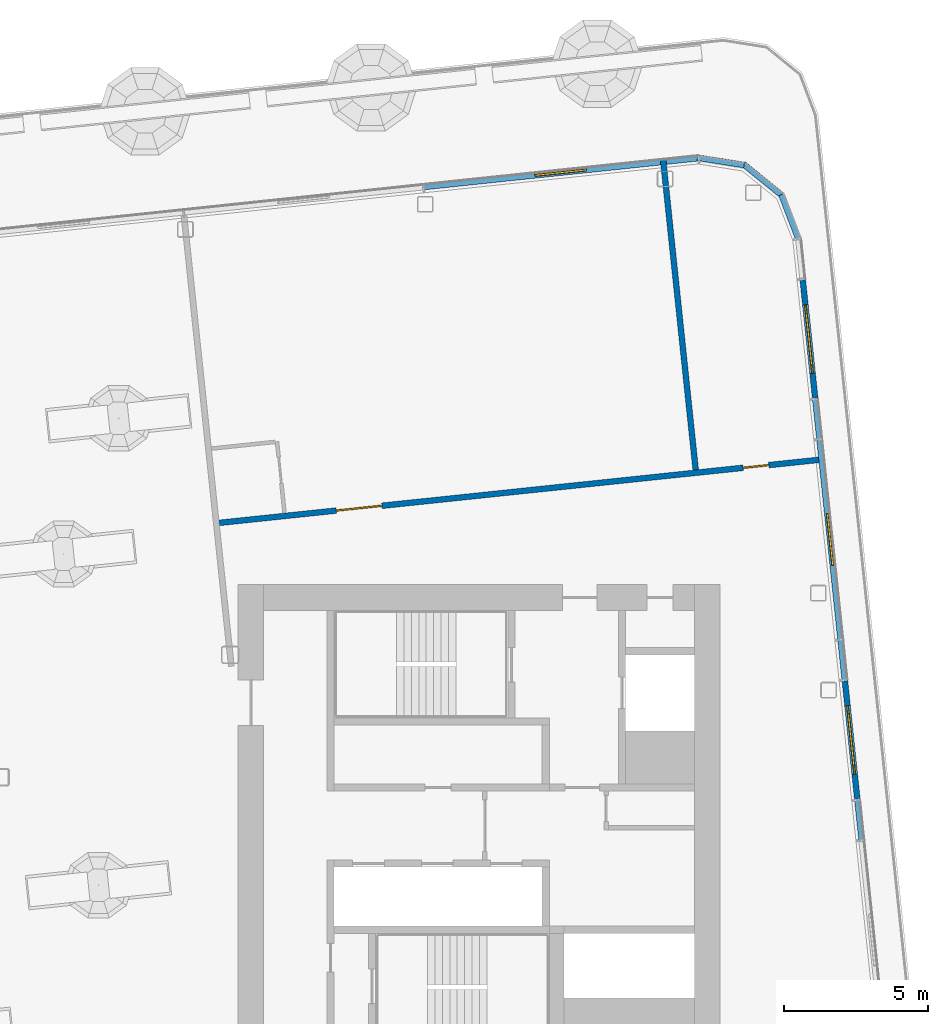
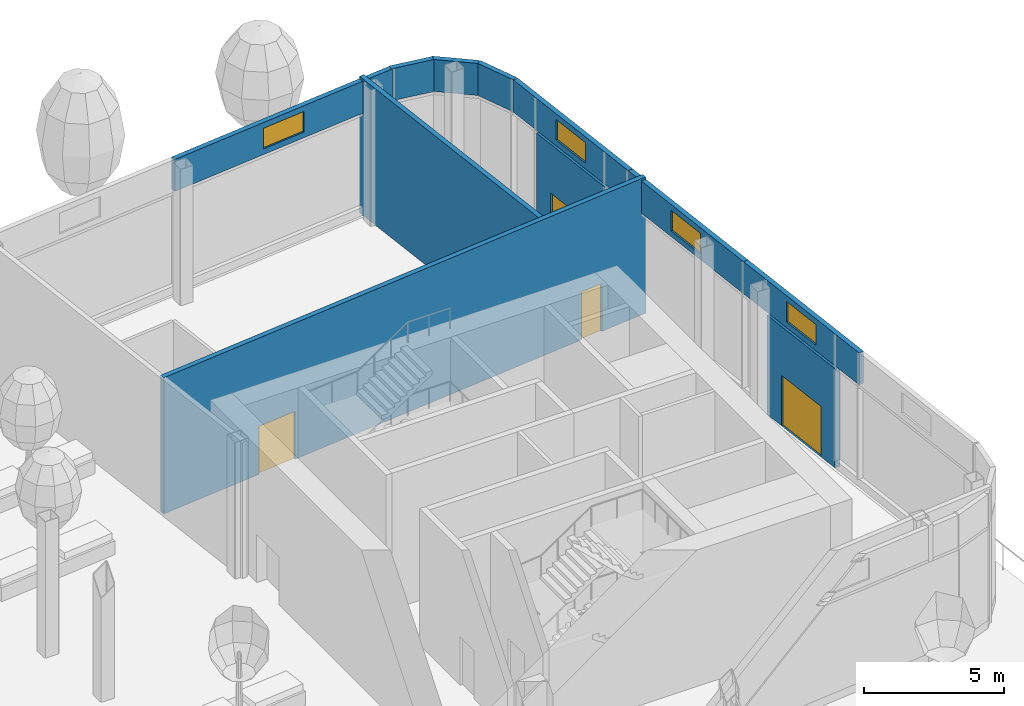
# One storey, part 15 of 42: 11 walls, 4 doors, 4 windows, 8 openings, 3 elements without a shape of their own.
"""IFC4 building model written with IfcOpenShell, lengths in metres."""

from ifc_helpers import new_model, si_unit, direction, frame, frame_2d, origin, place, context, subcontext, project, spatial, rectangle, extrude, material, layer, layer_set, type_object, element, fill, aggregate, save


model = new_model("IFC4")

# Units and contexts
model_context = context("Model", 3, precision=1e-05, world=origin(), true_north=direction((0.0, 1.0)))
body_context = subcontext(model_context, "Body", "Model", "MODEL_VIEW")
ifc_project = project(units=[si_unit("LENGTHUNIT", "METRE"), si_unit("AREAUNIT", "SQUARE_METRE"), si_unit("VOLUMEUNIT", "CUBIC_METRE"), si_unit("PLANEANGLEUNIT", "RADIAN"), si_unit("MASSUNIT", "GRAM", prefix="KILO")], contexts=[model_context])

# Site, building, storey
site_placement = place(None, origin())
site = spatial("IfcSite", under=ifc_project, at=site_placement, CompositionType="ELEMENT")
building_placement = place(site_placement, origin())
building = spatial("IfcBuilding", under=site, at=building_placement, Name="Hakoniwa Tower and Hamabe Station Hall", CompositionType="ELEMENT")
storey_placement = place(building_placement, frame((0.0, 0.0, 232.60009765625)))
storey = spatial("IfcBuildingStorey", under=building, at=storey_placement, Name="L66", CompositionType="ELEMENT", Elevation=232.60009765625)

# Wall, openings, doors
ifc_material_1 = material(Name="Fire-rated gypsum board partition", Category="gypsum")
ifc_layer_1 = layer(ifc_material_1, 0.199951171875)
ifc_layer_set_1 = layer_set([ifc_layer_1], Name="Corridor Wall 200")
wall_type_1 = type_object("IfcWallType", Name="Corridor Wall 200", PredefinedType="PARTITIONING", material=ifc_layer_set_1)
wall_1_placement = place(storey_placement, frame((16.04833984375, 10.533203125, 0.0), z_axis=(0.0, 0.0, 1.0), x_axis=(0.994522460242, 0.104523088709, 0.0)))
wall_1 = element("IfcWall", 1, at=wall_1_placement, inside=storey, type_object=wall_type_1, Name="GW-L66-003", PredefinedType="PARTITIONING", context=body_context, shape_type="SweptSolid", body=[
    extrude(rectangle(XDim=21.2998046875, YDim=0.199951171875, at=frame_2d((10.64990234375, 0.0))), origin(), (0.0, 0.0, 1.0), 5.949951171875),
])
opening_1_placement = place(wall_1_placement, frame((4.199951171875, 0.0, 0.0)))
opening_1 = element("IfcOpeningElement", 2, at=opening_1_placement, cuts=wall_1, Name="Opening GD-SL66-06", PredefinedType="OPENING", context=body_context, shape_type="SweptSolid", body=[
    extrude(rectangle(XDim=1.60009765625, YDim=2.10009765625, at=frame_2d((0.800048828125, 1.050048828125))), frame((0.0, 0.10986328125, 0.0), z_axis=(0.0, -1.0, 0.0), x_axis=(1.0, 0.0, 0.0)), (0.0, 0.0, 1.0), 0.219970703125),
])
opening_2_placement = place(wall_1_placement, frame((18.449951171875, 0.0, 0.0)))
opening_2 = element("IfcOpeningElement", 3, at=opening_2_placement, cuts=wall_1, Name="Opening GD-SL66-07", PredefinedType="OPENING", context=body_context, shape_type="SweptSolid", body=[
    extrude(rectangle(XDim=0.89990234375, YDim=2.10009765625, at=frame_2d((0.449951171875, 1.050048828125))), frame((0.0, 0.10986328125, 0.0), z_axis=(0.0, -1.0, 0.0), x_axis=(1.0, 0.0, 0.0)), (0.0, 0.0, 1.0), 0.219970703125),
])
ifc_material_2 = material(Name="Timber door leaf", Category="wood")
door_type_1 = type_object("IfcDoorType", Name="Double Door 1600", OperationType="DOUBLE_DOOR_SINGLE_SWING", PredefinedType="DOOR", material=ifc_material_2)
door_1_placement = place(opening_1_placement, origin())
door_1 = element("IfcDoor", 4, at=door_1_placement, inside=storey, type_object=door_type_1, Name="Door GD-SL66-06", OperationType="DOUBLE_DOOR_SINGLE_SWING", OverallHeight=2.10009765625, OverallWidth=1.60009765625, PredefinedType="DOOR", context=body_context, shape_type="SweptSolid", body=[
    extrude(rectangle(XDim=1.60009765625, YDim=2.10009765625, at=frame_2d((0.800048828125, 1.050048828125))), frame((0.0, 0.02490234375, 0.0), z_axis=(0.0, -1.0, 0.0), x_axis=(1.0, 0.0, 0.0)), (0.0, 0.0, 1.0), 0.050048828125),
])
fill(opening_1, door_1)
ifc_material_3 = material(Name="Timber door leaf", Category="wood")
door_type_2 = type_object("IfcDoorType", Name="Service Door 900", OperationType="SINGLE_SWING_LEFT", PredefinedType="DOOR", material=ifc_material_3)
door_2_placement = place(opening_2_placement, origin())
door_2 = element("IfcDoor", 5, at=door_2_placement, inside=storey, type_object=door_type_2, Name="Door GD-SL66-07", OperationType="SINGLE_SWING_RIGHT", OverallHeight=2.10009765625, OverallWidth=0.89990234375, PredefinedType="DOOR", context=body_context, shape_type="SweptSolid", body=[
    extrude(rectangle(XDim=0.89990234375, YDim=2.10009765625, at=frame_2d((0.449951171875, 1.050048828125))), frame((0.0, 0.02490234375, 0.0), z_axis=(0.0, -1.0, 0.0), x_axis=(1.0, 0.0, 0.0)), (0.0, 0.0, 1.0), 0.050048828125),
])
fill(opening_2, door_2)

# Curtain wall, walls, openings, doors
ifc_material_4 = material(Name="Dark low-e laminated glass", Category="glass")
ifc_layer_2 = layer(ifc_material_4, 0.199951171875)
ifc_layer_set_2 = layer_set([ifc_layer_2], Name="CW-2 SKY GARDEN")
curtain_wall_type = type_object("IfcCurtainWallType", Name="CW-2 SKY GARDEN", PredefinedType="NOTDEFINED", material=ifc_layer_set_2)
curtain_wall_1_placement = place(storey_placement, origin())
curtain_wall_1 = element("IfcCurtainWall", 6, at=curtain_wall_1_placement, inside=storey, type_object=curtain_wall_type, Name="CW-2 curtain wall", PredefinedType="NOTDEFINED")
ifc_material_5 = material(Name="Dark glass-faced aluminium panel", Category="aluminium")
ifc_layer_3 = layer(ifc_material_5, 0.199951171875)
ifc_layer_set_3 = layer_set([ifc_layer_3], Name="DOOR BAY WALL")
wall_type_2 = type_object("IfcWallType", Name="DOOR BAY WALL", PredefinedType="NOTDEFINED", material=ifc_layer_set_3)
wall_2_placement = place(storey_placement, frame((38.375, 0.9228515625, 0.0), z_axis=(0.0, 0.0, 1.0), x_axis=(-0.10450059231, 0.994524824329, 0.0)))
wall_2 = element("IfcWall", 7, at=wall_2_placement, type_object=wall_type_2, Name="Door bay wall", PredefinedType="NOTDEFINED", context=body_context, shape_type="SweptSolid", body=[
    extrude(rectangle(XDim=4.139892578125, YDim=0.199951171875, at=frame_2d((2.06982421875, 0.0))), origin(), (0.0, 0.0, 1.0), 4.329833984375),
])
opening_3_placement = place(wall_2_placement, frame((0.8701171875, 0.0, 0.0)))
opening_3 = element("IfcOpeningElement", 8, at=opening_3_placement, cuts=wall_2, Name="Opening TD-E01-T3", PredefinedType="OPENING", context=body_context, shape_type="SweptSolid", body=[
    extrude(rectangle(XDim=2.39990234375, YDim=2.199951171875, at=frame_2d((1.199951171875, 1.10009765625))), frame((0.0, 0.10986328125, 0.0), z_axis=(0.0, -1.0, 0.0), x_axis=(1.0, 0.0, 0.0)), (0.0, 0.0, 1.0), 0.219970703125),
])
ifc_material_6 = material(Name="Dark low-e laminated glass", Category="glass")
door_type_3 = type_object("IfcDoorType", Name="BALCONY SLIDING DOOR 2400X2200", OperationType="SLIDING_TO_LEFT", PredefinedType="DOOR", material=ifc_material_6)
door_3_placement = place(opening_3_placement, frame((2.39990234375, 0.0, 0.0), z_axis=(0.0, 0.0, 1.0), x_axis=(-1.0, 0.0, 0.0)))
door_3 = element("IfcDoor", 9, at=door_3_placement, inside=storey, type_object=door_type_3, Name="Balcony sliding door", OperationType="SLIDING_TO_LEFT", OverallHeight=2.199951171875, OverallWidth=2.39990234375, PredefinedType="DOOR", context=body_context, shape_type="SweptSolid", body=[
    extrude(rectangle(XDim=2.39990234375, YDim=2.199951171875, at=frame_2d((1.199951171875, 1.10009765625))), frame((0.0, 0.02490234375, 0.0), z_axis=(0.0, -1.0, 0.0), x_axis=(1.0, 0.0, 0.0)), (0.0, 0.0, 1.0), 0.050048828125),
])
fill(opening_3, door_3)
wall_3_placement = place(storey_placement, frame((36.907470703125, 14.88525390625, 0.0), z_axis=(0.0, 0.0, 1.0), x_axis=(-0.10449446367, 0.994525468282, 0.0)))
wall_3 = element("IfcWall", 10, at=wall_3_placement, type_object=wall_type_2, Name="Door bay wall", PredefinedType="NOTDEFINED", context=body_context, shape_type="SweptSolid", body=[
    extrude(rectangle(XDim=4.14013671875, YDim=0.199951171875, at=frame_2d((2.070068359375, 0.0))), origin(), (0.0, 0.0, 1.0), 4.329833984375),
])
opening_4_placement = place(wall_3_placement, frame((0.8701171875, 0.0, 0.0)))
opening_4 = element("IfcOpeningElement", 11, at=opening_4_placement, cuts=wall_3, Name="Opening TD-E01-T4", PredefinedType="OPENING", context=body_context, shape_type="SweptSolid", body=[
    extrude(rectangle(XDim=2.39990234375, YDim=2.199951171875, at=frame_2d((1.199951171875, 1.10009765625))), frame((0.0, 0.10986328125, 0.0), z_axis=(0.0, -1.0, 0.0), x_axis=(1.0, 0.0, 0.0)), (0.0, 0.0, 1.0), 0.219970703125),
])
door_4_placement = place(opening_4_placement, frame((2.39990234375, 0.0, 0.0), z_axis=(0.0, 0.0, 1.0), x_axis=(-1.0, 0.0, 0.0)))
door_4 = element("IfcDoor", 12, at=door_4_placement, inside=storey, type_object=door_type_3, Name="Balcony sliding door", OperationType="SLIDING_TO_LEFT", OverallHeight=2.199951171875, OverallWidth=2.39990234375, PredefinedType="DOOR", context=body_context, shape_type="SweptSolid", body=[
    extrude(rectangle(XDim=2.39990234375, YDim=2.199951171875, at=frame_2d((1.199951171875, 1.10009765625))), frame((0.0, 0.02490234375, 0.0), z_axis=(0.0, -1.0, 0.0), x_axis=(1.0, 0.0, 0.0)), (0.0, 0.0, 1.0), 0.050048828125),
])
fill(opening_4, door_4)

# Wall
ifc_material_7 = material(Name="Fire-rated gypsum board partition", Category="gypsum")
ifc_layer_4 = layer(ifc_material_7, 0.199951171875)
ifc_layer_set_4 = layer_set([ifc_layer_4], Name="Party Wall 200")
wall_type_3 = type_object("IfcWallType", Name="Party Wall 200", PredefinedType="PARTITIONING", material=ifc_layer_set_4)
wall_4_placement = place(storey_placement, frame((32.745849609375, 12.388671875, 0.0), z_axis=(0.0, 0.0, 1.0), x_axis=(-0.104533048416, 0.994521413439, 0.0)))
element("IfcWall", 13, at=wall_4_placement, inside=storey, type_object=wall_type_3, Name="GW-L66-021", PredefinedType="PARTITIONING", context=body_context, shape_type="SweptSolid", body=[
    extrude(rectangle(XDim=10.88818359375, YDim=0.199951171875, at=frame_2d((5.444091796875, 0.0))), origin(), (0.0, 0.0, 1.0), 5.949951171875),
])

# Wall, opening, window
ifc_material_8 = material(Name="Dark glass-faced aluminium panel", Category="aluminium")
ifc_layer_5 = layer(ifc_material_8, 0.199951171875)
ifc_layer_set_5 = layer_set([ifc_layer_5], Name="VENT BAND WALL")
wall_type_4 = type_object("IfcWallType", Name="VENT BAND WALL", PredefinedType="NOTDEFINED", material=ifc_layer_set_5)
wall_5_placement = place(storey_placement, frame((38.525634765625, -0.50927734375, 4.449951171875), z_axis=(0.0, 0.0, 1.0), x_axis=(-0.104543574031, 0.994520307047, 0.0)))
wall_5 = element("IfcWall", 14, at=wall_5_placement, type_object=wall_type_4, Name="Vent band wall", PredefinedType="NOTDEFINED", context=body_context, shape_type="SweptSolid", body=[
    extrude(rectangle(XDim=7.02001953125, YDim=0.199951171875, at=frame_2d((3.510009765625, 0.0))), origin(), (0.0, 0.0, 1.0), 1.39990234375),
])
opening_5_placement = place(wall_5_placement, frame((2.60986328125, 0.0, 0.25)))
opening_5 = element("IfcOpeningElement", 15, at=opening_5_placement, cuts=wall_5, Name="Opening VW-1", PredefinedType="OPENING", context=body_context, shape_type="SweptSolid", body=[
    extrude(rectangle(XDim=1.800048828125, YDim=0.89990234375, at=frame_2d((0.89990234375, 0.449951171875))), frame((0.0, 0.10986328125, 0.0), z_axis=(0.0, -1.0, 0.0), x_axis=(1.0, 0.0, 0.0)), (0.0, 0.0, 1.0), 0.219970703125),
])
ifc_material_9 = material(Name="Dark low-e laminated glass", Category="glass")
window_type = type_object("IfcWindowType", Name="VENT WINDOW 1800X900", PartitioningType="SINGLE_PANEL", PredefinedType="WINDOW", material=ifc_material_9)
window_1_placement = place(opening_5_placement, origin())
window_1 = element("IfcWindow", 16, at=window_1_placement, inside=storey, type_object=window_type, Name="Vent window", OverallHeight=0.89990234375, OverallWidth=1.800048828125, PartitioningType="SINGLE_PANEL", PredefinedType="WINDOW", context=body_context, shape_type="SweptSolid", body=[
    extrude(rectangle(XDim=1.800048828125, YDim=0.89990234375, at=frame_2d((0.89990234375, 0.449951171875))), frame((0.0, 0.030029296875, 0.0), z_axis=(0.0, -1.0, 0.0), x_axis=(1.0, 0.0, 0.0)), (0.0, 0.0, 1.0), 0.06005859375),
])
fill(opening_5, window_1)

wall_6_placement = place(storey_placement, frame((37.791748046875, 6.47216796875, 4.449951171875), z_axis=(0.0, 0.0, 1.0), x_axis=(-0.104512790532, 0.994523542514, 0.0)))
wall_6 = element("IfcWall", 17, at=wall_6_placement, type_object=wall_type_4, Name="Vent band wall", PredefinedType="NOTDEFINED", context=body_context, shape_type="SweptSolid", body=[
    extrude(rectangle(XDim=7.01953125, YDim=0.199951171875, at=frame_2d((3.509765625, 0.0))), origin(), (0.0, 0.0, 1.0), 1.39990234375),
])
opening_6_placement = place(wall_6_placement, frame((2.60986328125, 0.0, 0.25)))
opening_6 = element("IfcOpeningElement", 18, at=opening_6_placement, cuts=wall_6, Name="Opening VW-1", PredefinedType="OPENING", context=body_context, shape_type="SweptSolid", body=[
    extrude(rectangle(XDim=1.800048828125, YDim=0.89990234375, at=frame_2d((0.89990234375, 0.449951171875))), frame((0.0, 0.10986328125, 0.0), z_axis=(0.0, -1.0, 0.0), x_axis=(1.0, 0.0, 0.0)), (0.0, 0.0, 1.0), 0.219970703125),
])
window_2_placement = place(opening_6_placement, origin())
window_2 = element("IfcWindow", 19, at=window_2_placement, inside=storey, type_object=window_type, Name="Vent window", OverallHeight=0.89990234375, OverallWidth=1.800048828125, PartitioningType="SINGLE_PANEL", PredefinedType="WINDOW", context=body_context, shape_type="SweptSolid", body=[
    extrude(rectangle(XDim=1.800048828125, YDim=0.89990234375, at=frame_2d((0.89990234375, 0.449951171875))), frame((0.0, 0.030029296875, 0.0), z_axis=(0.0, -1.0, 0.0), x_axis=(1.0, 0.0, 0.0)), (0.0, 0.0, 1.0), 0.06005859375),
])
fill(opening_6, window_2)

wall_7_placement = place(storey_placement, frame((37.05810546875, 13.453369140625, 4.449951171875), z_axis=(0.0, 0.0, 1.0), x_axis=(-0.104541145751, 0.994520562304, 0.0)))
wall_7 = element("IfcWall", 20, at=wall_7_placement, type_object=wall_type_4, Name="Vent band wall", PredefinedType="NOTDEFINED", context=body_context, shape_type="SweptSolid", body=[
    extrude(rectangle(XDim=6.98974609375, YDim=0.199951171875, at=frame_2d((3.494873046875, 0.0))), origin(), (0.0, 0.0, 1.0), 1.39990234375),
])
opening_7_placement = place(wall_7_placement, frame((2.594970703125, 0.0, 0.25)))
opening_7 = element("IfcOpeningElement", 21, at=opening_7_placement, cuts=wall_7, Name="Opening VW-1", PredefinedType="OPENING", context=body_context, shape_type="SweptSolid", body=[
    extrude(rectangle(XDim=1.800048828125, YDim=0.89990234375, at=frame_2d((0.89990234375, 0.449951171875))), frame((0.0, 0.10986328125, 0.0), z_axis=(0.0, -1.0, 0.0), x_axis=(1.0, 0.0, 0.0)), (0.0, 0.0, 1.0), 0.219970703125),
])
window_3_placement = place(opening_7_placement, origin())
window_3 = element("IfcWindow", 22, at=window_3_placement, inside=storey, type_object=window_type, Name="Vent window", OverallHeight=0.89990234375, OverallWidth=1.800048828125, PartitioningType="SINGLE_PANEL", PredefinedType="WINDOW", context=body_context, shape_type="SweptSolid", body=[
    extrude(rectangle(XDim=1.800048828125, YDim=0.89990234375, at=frame_2d((0.89990234375, 0.449951171875))), frame((0.0, 0.030029296875, 0.0), z_axis=(0.0, -1.0, 0.0), x_axis=(1.0, 0.0, 0.0)), (0.0, 0.0, 1.0), 0.06005859375),
])
fill(opening_7, window_3)

aggregate(curtain_wall_1, [wall_5, wall_6, wall_7, wall_2, wall_3])

# Curtain wall, walls
curtain_wall_2_placement = place(storey_placement, origin())
curtain_wall_2 = element("IfcCurtainWall", 23, at=curtain_wall_2_placement, inside=storey, type_object=curtain_wall_type, Name="CW-2 curtain wall", PredefinedType="NOTDEFINED")
wall_8_placement = place(storey_placement, frame((36.319580078125, 20.437255859375, 4.449951171875), z_axis=(0.0, 0.0, 1.0), x_axis=(-0.358311750357, 0.933601997404, 0.0)))
wall_8 = element("IfcWall", 24, at=wall_8_placement, type_object=wall_type_4, Name="Vent band wall", PredefinedType="NOTDEFINED", context=body_context, shape_type="SweptSolid", body=[
    extrude(rectangle(XDim=1.642822265625, YDim=0.199951171875, at=frame_2d((0.8212890625, 0.0))), origin(), (0.0, 0.0, 1.0), 1.39990234375),
])
wall_9_placement = place(storey_placement, frame((35.73095703125, 21.970947265625, 4.449951171875), z_axis=(0.0, 0.0, 1.0), x_axis=(-0.777171874184, 0.62928839015, 0.0)))
wall_9 = element("IfcWall", 25, at=wall_9_placement, type_object=wall_type_4, Name="Vent band wall", PredefinedType="NOTDEFINED", context=body_context, shape_type="SweptSolid", body=[
    extrude(rectangle(XDim=1.713623046875, YDim=0.199951171875, at=frame_2d((0.85693359375, 0.0))), origin(), (0.0, 0.0, 1.0), 1.39990234375),
])
wall_10_placement = place(storey_placement, frame((34.4296875, 23.007568359375, 4.449951171875), z_axis=(0.0, 0.0, 1.0), x_axis=(-0.987683320771, 0.156466155675, 0.0)))
wall_10 = element("IfcWall", 26, at=wall_10_placement, type_object=wall_type_4, Name="Vent band wall", PredefinedType="NOTDEFINED", context=body_context, shape_type="SweptSolid", body=[
    extrude(rectangle(XDim=1.64306640625, YDim=0.199951171875, at=frame_2d((0.821533203125, 0.0))), origin(), (0.0, 0.0, 1.0), 1.39990234375),
])
aggregate(curtain_wall_2, [wall_8, wall_9, wall_10])

# Curtain wall, wall, opening, window
curtain_wall_3_placement = place(storey_placement, origin())
curtain_wall_3 = element("IfcCurtainWall", 27, at=curtain_wall_3_placement, inside=storey, type_object=curtain_wall_type, Name="CW-2 curtain wall", PredefinedType="NOTDEFINED")
wall_11_placement = place(storey_placement, frame((32.82080078125, 23.244384765625, 4.449951171875), z_axis=(0.0, 0.0, 1.0), x_axis=(-0.994522424081, -0.104523432778, 0.0)))
wall_11 = element("IfcWall", 28, at=wall_11_placement, type_object=wall_type_4, Name="Vent band wall", PredefinedType="NOTDEFINED", context=body_context, shape_type="SweptSolid", body=[
    extrude(rectangle(XDim=9.609375, YDim=0.199951171875, at=frame_2d((4.8046875, 0.0))), origin(), (0.0, 0.0, 1.0), 1.39990234375),
])
opening_8_placement = place(wall_11_placement, frame((3.90478515625, 0.0, 0.25)))
opening_8 = element("IfcOpeningElement", 29, at=opening_8_placement, cuts=wall_11, Name="Opening VW-1", PredefinedType="OPENING", context=body_context, shape_type="SweptSolid", body=[
    extrude(rectangle(XDim=1.800048828125, YDim=0.89990234375, at=frame_2d((0.89990234375, 0.449951171875))), frame((0.0, 0.10986328125, 0.0), z_axis=(0.0, -1.0, 0.0), x_axis=(1.0, 0.0, 0.0)), (0.0, 0.0, 1.0), 0.219970703125),
])
window_4_placement = place(opening_8_placement, origin())
window_4 = element("IfcWindow", 30, at=window_4_placement, inside=storey, type_object=window_type, Name="Vent window", OverallHeight=0.89990234375, OverallWidth=1.800048828125, PartitioningType="SINGLE_PANEL", PredefinedType="WINDOW", context=body_context, shape_type="SweptSolid", body=[
    extrude(rectangle(XDim=1.800048828125, YDim=0.89990234375, at=frame_2d((0.89990234375, 0.449951171875))), frame((0.0, 0.030029296875, 0.0), z_axis=(0.0, -1.0, 0.0), x_axis=(1.0, 0.0, 0.0)), (0.0, 0.0, 1.0), 0.06005859375),
])
fill(opening_8, window_4)
aggregate(curtain_wall_3, [wall_11])

save(model, "model.ifc")
